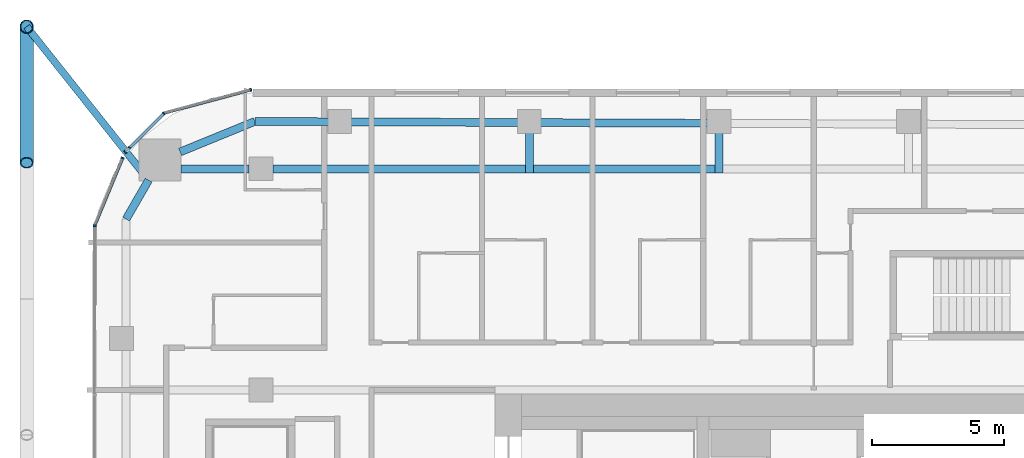
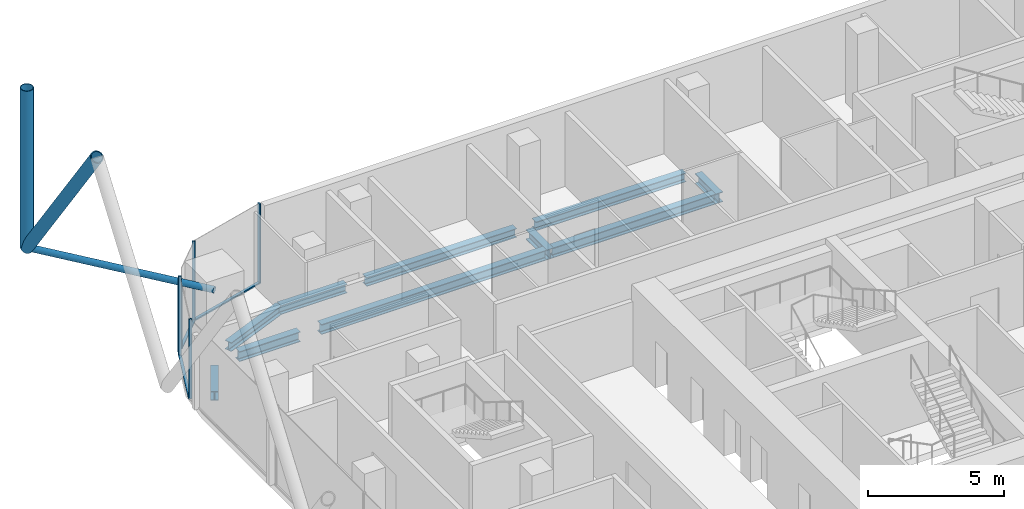
# One storey, part 11 of 33: 12 members, 10 beams, 5 elements without a shape of their own.
"""IFC4 building model written with IfcOpenShell, lengths in metres."""

from ifc_helpers import new_model, si_unit, direction, frame, origin, origin_2d, place, context, subcontext, project, spatial, rectangle, hollow_circle, i_section, extrude, material, layer, layer_set, material_profile, profile_set, type_object, element, aggregate, save


model = new_model("IFC4")

# Units and contexts
model_context = context("Model", 3, precision=1e-05, world=origin(), true_north=direction((0.0, 1.0)))
body_context = subcontext(model_context, "Body", "Model", "MODEL_VIEW")
ifc_project = project(units=[si_unit("LENGTHUNIT", "METRE"), si_unit("AREAUNIT", "SQUARE_METRE"), si_unit("VOLUMEUNIT", "CUBIC_METRE"), si_unit("PLANEANGLEUNIT", "RADIAN"), si_unit("MASSUNIT", "GRAM", prefix="KILO")], contexts=[model_context])

# Site, building, storey
site_placement = place(None, origin())
site = spatial("IfcSite", under=ifc_project, at=site_placement, CompositionType="ELEMENT")
building_placement = place(site_placement, origin())
building = spatial("IfcBuilding", under=site, at=building_placement, Name="Marenta Gate Hotel Tower", CompositionType="ELEMENT")
storey_placement = place(building_placement, frame((0.0, 0.0, 122.89990234375)))
storey = spatial("IfcBuildingStorey", under=building, at=storey_placement, Name="L27", CompositionType="ELEMENT", Elevation=122.89990234375)

# Members
ifc_material_1 = material(Name="Steel S355J2W", Category="steel")
ifc_material_profile_1 = material_profile(ifc_material_1, hollow_circle(Radius=0.25390625, WallThickness=0.02490234375, at=origin_2d()), Name="CHS 508x25")
ifc_profile_set_1 = profile_set([ifc_material_profile_1], Name="Steel S355J2W")
member_type_1 = type_object("IfcMemberType", Name="Diagrid corner post Z2 CHS 508x25", PredefinedType="POST", material=ifc_profile_set_1)
member_1_placement = place(storey_placement, frame((-29.89990234375, 30.60009765625, 3.14013671875), z_axis=(0.0, 0.0, 1.0), x_axis=(1.0, 0.0, 0.0)))
element("IfcMember", 1, at=member_1_placement, inside=storey, type_object=member_type_1, Name="L27-DR-6", PredefinedType="POST", context=body_context, shape_type="SweptSolid", body=[
    extrude(hollow_circle(Radius=0.25390625, WallThickness=0.02490234375, at=origin_2d()), origin(), (0.0, 0.0, 1.0), 7.199951171875),
])
ifc_material_2 = material(Name="Steel S355J2W", Category="steel")
ifc_material_profile_2 = material_profile(ifc_material_2, hollow_circle(Radius=0.25390625, WallThickness=0.0400390625, at=origin_2d()), Name="CHS 508x40")
ifc_profile_set_2 = profile_set([ifc_material_profile_2], Name="Steel S355J2W")
member_type_2 = type_object("IfcMemberType", Name="Diagrid diagonal Z2 CHS 508x40", PredefinedType="BRACE", material=ifc_profile_set_2)
member_2_placement = place(storey_placement, frame((-29.89990234375, 30.60009765625, 3.14013671875), z_axis=(0.0, -0.583279014058, 0.812271870595), x_axis=(1.0, 0.0, 0.0)))
element("IfcMember", 2, at=member_2_placement, inside=storey, type_object=member_type_2, Name="L27-DG-34", PredefinedType="BRACE", context=body_context, shape_type="SweptSolid", body=[
    extrude(hollow_circle(Radius=0.25390625, WallThickness=0.0400390625, at=origin_2d()), origin(), (0.0, 0.0, 1.0), 8.864013671875),
])

# Beams
ifc_material_3 = material(Name="Steel S355", Category="steel")
ifc_material_profile_3 = material_profile(ifc_material_3, i_section(OverallWidth=0.300048828125, OverallDepth=0.39990234375, WebThickness=0.013427734375, FlangeThickness=0.02392578125, FilletRadius=0.027099609375, at=origin_2d()), Name="HEB 400")
ifc_profile_set_3 = profile_set([ifc_material_profile_3], Name="Steel S355")
beam_type_1 = type_object("IfcBeamType", Name="Edge beam HEB 400", PredefinedType="SPANDREL", material=ifc_profile_set_3)
beam_1_placement = place(storey_placement, frame((-26.121337890625, 23.291748046875, -0.4599609375), z_axis=(0.500015459501, 0.866016478054, 0.0), x_axis=(-0.866016478054, 0.500015459501, 0.0)))
element("IfcBeam", 3, at=beam_1_placement, inside=storey, type_object=beam_type_1, Name="L27-EB-11", PredefinedType="SPANDREL", context=body_context, shape_type="SweptSolid", body=[
    extrude(i_section(OverallWidth=0.300048828125, OverallDepth=0.39990234375, WebThickness=0.013427734375, FlangeThickness=0.02392578125, FilletRadius=0.027099609375, at=origin_2d()), origin(), (0.0, 0.0, 1.0), 1.70703125),
])
beam_2_placement = place(storey_placement, frame((-24.072509765625, 25.839111328125, -0.4599609375), z_axis=(0.925565978946, 0.378586342356, 0.0), x_axis=(-0.378586342356, 0.925565978946, 0.0)))
element("IfcBeam", 4, at=beam_2_placement, inside=storey, type_object=beam_type_1, Name="L27-EB-12", PredefinedType="SPANDREL", context=body_context, shape_type="SweptSolid", body=[
    extrude(i_section(OverallWidth=0.300048828125, OverallDepth=0.39990234375, WebThickness=0.013427734375, FlangeThickness=0.02392578125, FilletRadius=0.027099609375, at=origin_2d()), origin(), (0.0, 0.0, 1.0), 3.06640625),
])
beam_3_placement = place(storey_placement, frame((-21.234375, 27.0, -0.4599609375), z_axis=(0.999991706293, -0.004072756516, 0.0), x_axis=(0.004072756516, 0.999991706293, 0.0)))
element("IfcBeam", 5, at=beam_3_placement, inside=storey, type_object=beam_type_1, Name="L27-EB-13", PredefinedType="SPANDREL", context=body_context, shape_type="SweptSolid", body=[
    extrude(i_section(OverallWidth=0.300048828125, OverallDepth=0.39990234375, WebThickness=0.013427734375, FlangeThickness=0.02392578125, FilletRadius=0.027099609375, at=origin_2d()), origin(), (0.0, 0.0, 1.0), 2.8173828125),
])
beam_4_placement = place(storey_placement, frame((-17.596923828125, 26.985107421875, -0.4599609375), z_axis=(0.999991780748, -0.00405443424, 0.0), x_axis=(0.00405443424, 0.999991780748, 0.0)))
element("IfcBeam", 6, at=beam_4_placement, inside=storey, type_object=beam_type_1, Name="L27-EB-14", PredefinedType="SPANDREL", context=body_context, shape_type="SweptSolid", body=[
    extrude(i_section(OverallWidth=0.300048828125, OverallDepth=0.39990234375, WebThickness=0.013427734375, FlangeThickness=0.02392578125, FilletRadius=0.027099609375, at=origin_2d()), origin(), (0.0, 0.0, 1.0), 6.3828125),
])
beam_5_placement = place(storey_placement, frame((-10.39404296875, 26.955810546875, -0.4599609375), z_axis=(0.999991624297, -0.004092839529, 0.0), x_axis=(0.004092839529, 0.999991624297, 0.0)))
element("IfcBeam", 7, at=beam_5_placement, inside=storey, type_object=beam_type_1, Name="L27-EB-15", PredefinedType="SPANDREL", context=body_context, shape_type="SweptSolid", body=[
    extrude(i_section(OverallWidth=0.300048828125, OverallDepth=0.39990234375, WebThickness=0.013427734375, FlangeThickness=0.02392578125, FilletRadius=0.027099609375, at=origin_2d()), origin(), (0.0, 0.0, 1.0), 6.382568359375),
])

# Member
ifc_material_4 = material(Name="Steel S355J2W", Category="steel")
ifc_material_profile_4 = material_profile(ifc_material_4, hollow_circle(Radius=0.136474609375, WallThickness=0.012451171875, at=origin_2d()), Name="CHS 273x12.5")
ifc_profile_set_4 = profile_set([ifc_material_profile_4], Name="Steel S355J2W")
member_type_3 = type_object("IfcMemberType", Name="Floor tie CHS 273x12.5", PredefinedType="STRUT", material=ifc_profile_set_4)
member_3_placement = place(storey_placement, frame((-29.89990234375, 30.60009765625, 3.14013671875), z_axis=(0.622094046149, -0.782942525187, 0.0), x_axis=(0.782942525187, 0.622094046149, 0.0)))
element("IfcMember", 8, at=member_3_placement, inside=storey, type_object=member_type_3, Name="L27-DR-12", PredefinedType="STRUT", context=body_context, shape_type="SweptSolid", body=[
    extrude(hollow_circle(Radius=0.136474609375, WallThickness=0.012451171875, at=origin_2d()), origin(), (0.0, 0.0, 1.0), 7.43896484375),
])

# Beams
ifc_material_5 = material(Name="Steel S355", Category="steel")
ifc_material_profile_5 = material_profile(ifc_material_5, i_section(OverallWidth=0.300048828125, OverallDepth=0.449951171875, WebThickness=0.013916015625, FlangeThickness=0.02587890625, FilletRadius=0.027099609375, at=origin_2d()), Name="HEB 450")
ifc_profile_set_5 = profile_set([ifc_material_profile_5], Name="Steel S355")
beam_type_2 = type_object("IfcBeamType", Name="Girder HEB 450", PredefinedType="BEAM", material=ifc_profile_set_5)
beam_6_placement = place(storey_placement, frame((-24.035400390625, 25.199951171875, -0.48486328125), z_axis=(1.0, 0.0, 0.0), x_axis=(0.0, 1.0, 0.0)))
element("IfcBeam", 9, at=beam_6_placement, inside=storey, type_object=beam_type_2, Name="L27-GD-29", PredefinedType="BEAM", context=body_context, shape_type="SweptSolid", body=[
    extrude(i_section(OverallWidth=0.300048828125, OverallDepth=0.449951171875, WebThickness=0.013916015625, FlangeThickness=0.02587890625, FilletRadius=0.027099609375, at=origin_2d()), origin(), (0.0, 0.0, 1.0), 2.58544921875),
])
beam_7_placement = place(storey_placement, frame((-20.550048828125, 25.199951171875, -0.48486328125), z_axis=(1.0, 0.0, 0.0), x_axis=(0.0, 1.0, 0.0)))
element("IfcBeam", 10, at=beam_7_placement, inside=storey, type_object=beam_type_2, Name="L27-GD-30", PredefinedType="BEAM", context=body_context, shape_type="SweptSolid", body=[
    extrude(i_section(OverallWidth=0.300048828125, OverallDepth=0.449951171875, WebThickness=0.013916015625, FlangeThickness=0.02587890625, FilletRadius=0.027099609375, at=origin_2d()), origin(), (0.0, 0.0, 1.0), 9.595947265625),
])
beam_8_placement = place(storey_placement, frame((-10.654052734375, 25.199951171875, -0.48486328125), z_axis=(1.0, 0.0, 0.0), x_axis=(0.0, 1.0, 0.0)))
element("IfcBeam", 11, at=beam_8_placement, inside=storey, type_object=beam_type_2, Name="L27-GD-31", PredefinedType="BEAM", context=body_context, shape_type="SweptSolid", body=[
    extrude(i_section(OverallWidth=0.300048828125, OverallDepth=0.449951171875, WebThickness=0.013916015625, FlangeThickness=0.02587890625, FilletRadius=0.027099609375, at=origin_2d()), origin(), (0.0, 0.0, 1.0), 6.902587890625),
])
ifc_material_6 = material(Name="Steel S355", Category="steel")
ifc_material_profile_6 = material_profile(ifc_material_6, i_section(OverallWidth=0.300048828125, OverallDepth=0.449951171875, WebThickness=0.013916015625, FlangeThickness=0.02587890625, FilletRadius=0.027099609375, at=origin_2d()), Name="HEB 450")
ifc_profile_set_6 = profile_set([ifc_material_profile_6], Name="Steel S355")
beam_type_3 = type_object("IfcBeamType", Name="Girder bracket HEB 450", PredefinedType="BEAM", material=ifc_profile_set_6)
for number, where, z_axis, x_axis, name in (
    (12, (-10.80419921875, 25.050048828125, -0.48486328125), (0.0, 1.0, 0.0), (-1.0, 0.0, 0.0), "L27-GS-1"),
    (13, (-3.601318359375, 25.050048828125, -0.48486328125), (0.0, 1.0, 0.0), (-1.0, 0.0, 0.0), "L27-GS-2"),
):
    element("IfcBeam", number, at=place(storey_placement, frame(where, z_axis=z_axis, x_axis=x_axis)), inside=storey, type_object=beam_type_3, Name=name, PredefinedType="BEAM", context=body_context, shape_type="SweptSolid", body=[
        extrude(i_section(OverallWidth=0.300048828125, OverallDepth=0.449951171875, WebThickness=0.013916015625, FlangeThickness=0.02587890625, FilletRadius=0.027099609375, at=origin_2d()), origin(), (0.0, 0.0, 1.0), 1.5400390625),
    ])

# Curtain wall, member
ifc_material_7 = material(Name="Tinted insulated glass in bronze anodised frame", Category="glass")
ifc_layer = layer(ifc_material_7, 0.1201171875)
ifc_layer_set = layer_set([ifc_layer], Name="Tinted insulated glass in bronze anodised frame")
curtain_wall_type = type_object("IfcCurtainWallType", Name="Tower unitised curtain wall CW1", PredefinedType="NOTDEFINED", material=ifc_layer_set)
curtain_wall_1_placement = place(storey_placement, origin())
curtain_wall_1 = element("IfcCurtainWall", 14, at=curtain_wall_1_placement, inside=storey, type_object=curtain_wall_type, Name="CW1 run G00", PredefinedType="NOTDEFINED")
ifc_material_8 = material(Name="Bronze anodised aluminium", Category="aluminium")
ifc_material_profile_7 = material_profile(ifc_material_8, rectangle(XDim=0.1201171875, YDim=0.06005859375, at=origin_2d()), Name="Mullion CW1 60x120 bronze anodised aluminium")
ifc_profile_set_7 = profile_set([ifc_material_profile_7], Name="Bronze anodised aluminium")
member_type_4 = type_object("IfcMemberType", Name="Mullion CW1 60x120 bronze anodised aluminium", PredefinedType="MULLION", material=ifc_profile_set_7)
member_4_placement = place(storey_placement, frame((-21.385498046875, 28.203125, 0.0), z_axis=(0.0, 0.0, 1.0), x_axis=(0.258801234873, -0.96593059835, 0.0)))
member_4 = element("IfcMember", 15, at=member_4_placement, type_object=member_type_4, Name="CW1 mullion 1", PredefinedType="MULLION", context=body_context, shape_type="SweptSolid", body=[
    extrude(rectangle(XDim=0.1201171875, YDim=0.06005859375, at=origin_2d()), origin(), (0.0, 0.0, 1.0), 3.60009765625),
])

curtain_wall_2_placement = place(storey_placement, origin())
curtain_wall_2 = element("IfcCurtainWall", 16, at=curtain_wall_2_placement, inside=storey, type_object=curtain_wall_type, Name="CW1 run G01", PredefinedType="NOTDEFINED")
member_5_placement = place(storey_placement, frame((-24.68798828125, 27.302978515625, 0.0), z_axis=(0.0, 0.0, 1.0), x_axis=(0.707106781187, -0.707106781187, 0.0)))
member_5 = element("IfcMember", 17, at=member_5_placement, type_object=member_type_4, Name="CW1 mullion 1", PredefinedType="MULLION", context=body_context, shape_type="SweptSolid", body=[
    extrude(rectangle(XDim=0.1201171875, YDim=0.06005859375, at=origin_2d()), origin(), (0.0, 0.0, 1.0), 3.60009765625),
])

# Curtain wall, members
curtain_wall_3_placement = place(storey_placement, origin())
curtain_wall_3 = element("IfcCurtainWall", 18, at=curtain_wall_3_placement, inside=storey, type_object=curtain_wall_type, Name="CW1 run G02", PredefinedType="NOTDEFINED")
member_6_placement = place(storey_placement, frame((-25.992431640625, 25.998291015625, 0.0), z_axis=(0.0, 0.0, 1.0), x_axis=(0.707106781187, -0.707106781187, 0.0)))
member_6 = element("IfcMember", 19, at=member_6_placement, type_object=member_type_4, Name="CW1 mullion 1", PredefinedType="MULLION", context=body_context, shape_type="SweptSolid", body=[
    extrude(rectangle(XDim=0.1201171875, YDim=0.06005859375, at=origin_2d()), origin(), (0.0, 0.0, 1.0), 3.00048828125),
])
member_7_placement = place(storey_placement, frame((-26.151123046875, 25.839599609375, 0.0), z_axis=(0.0, 0.0, 1.0), x_axis=(0.707106781187, -0.707106781187, 0.0)))
member_7 = element("IfcMember", 20, at=member_7_placement, type_object=member_type_4, Name="CW1 mullion 2", PredefinedType="MULLION", context=body_context, shape_type="SweptSolid", body=[
    extrude(rectangle(XDim=0.1201171875, YDim=0.06005859375, at=origin_2d()), origin(), (0.0, 0.0, 1.0), 3.00048828125),
])
aggregate(curtain_wall_3, [member_6, member_7])

# Curtain wall, member
curtain_wall_4_placement = place(storey_placement, origin())
curtain_wall_4 = element("IfcCurtainWall", 21, at=curtain_wall_4_placement, inside=storey, type_object=curtain_wall_type, Name="CW1 run G03", PredefinedType="NOTDEFINED")
member_8_placement = place(storey_placement, frame((-26.25830078125, 25.610595703125, 0.0), z_axis=(0.0, 0.0, 1.0), x_axis=(0.923879367898, -0.382683829775, 0.0)))
member_8 = element("IfcMember", 22, at=member_8_placement, type_object=member_type_4, Name="CW1 mullion 1", PredefinedType="MULLION", context=body_context, shape_type="SweptSolid", body=[
    extrude(rectangle(XDim=0.1201171875, YDim=0.06005859375, at=origin_2d()), origin(), (0.0, 0.0, 1.0), 3.60009765625),
])

curtain_wall_5_placement = place(storey_placement, origin())
curtain_wall_5 = element("IfcCurtainWall", 23, at=curtain_wall_5_placement, inside=storey, type_object=curtain_wall_type, Name="CW1 run G04", PredefinedType="NOTDEFINED")
member_9_placement = place(storey_placement, frame((-27.312255859375, 23.0361328125, 0.0), z_axis=(0.0, 0.0, 1.0), x_axis=(0.99999877375, -0.001566045546, 0.0)))
member_9 = element("IfcMember", 24, at=member_9_placement, type_object=member_type_4, Name="CW1 mullion 1", PredefinedType="MULLION", context=body_context, shape_type="SweptSolid", body=[
    extrude(rectangle(XDim=0.1201171875, YDim=0.06005859375, at=origin_2d()), origin(), (0.0, 0.0, 1.0), 3.60009765625),
])
aggregate(curtain_wall_5, [member_9])

# Member
ifc_material_9 = material(Name="Bronze anodised aluminium", Category="aluminium")
ifc_material_profile_8 = material_profile(ifc_material_9, rectangle(XDim=0.1201171875, YDim=0.06005859375, at=origin_2d()), Name="Transom CW1 60x120 bronze anodised aluminium")
ifc_profile_set_8 = profile_set([ifc_material_profile_8], Name="Bronze anodised aluminium")
member_type_5 = type_object("IfcMemberType", Name="Transom CW1 60x120 bronze anodised aluminium", PredefinedType="USERDEFINED", material=ifc_profile_set_8)
member_10_placement = place(storey_placement, frame((-21.41455078125, 28.195556640625, 0.030029296875), z_axis=(-0.965932192411, -0.258795285243, 0.0), x_axis=(0.258795285243, -0.965932192411, 0.0)))
member_10 = element("IfcMember", 25, at=member_10_placement, type_object=member_type_5, Name="CW1 transom 1.1", ObjectType="TRANSOM", PredefinedType="USERDEFINED", context=body_context, shape_type="SweptSolid", body=[
    extrude(rectangle(XDim=0.1201171875, YDim=0.06005859375, at=origin_2d()), origin(), (0.0, 0.0, 1.0), 3.366943359375),
])

aggregate(curtain_wall_1, [member_4, member_10])

member_11_placement = place(storey_placement, frame((-24.709228515625, 27.28173828125, 0.030029296875), z_axis=(-0.707038385696, -0.707175170062, 0.0), x_axis=(0.707175170062, -0.707038385696, 0.0)))
member_11 = element("IfcMember", 26, at=member_11_placement, type_object=member_type_5, Name="CW1 transom 1.1", ObjectType="TRANSOM", PredefinedType="USERDEFINED", context=body_context, shape_type="SweptSolid", body=[
    extrude(rectangle(XDim=0.1201171875, YDim=0.06005859375, at=origin_2d()), origin(), (0.0, 0.0, 1.0), 1.784912109375),
])

aggregate(curtain_wall_2, [member_5, member_11])

member_12_placement = place(storey_placement, frame((-26.269775390625, 25.582763671875, 0.030029296875), z_axis=(-0.382705357384, -0.923870450566, 0.0), x_axis=(0.923870450566, -0.382705357384, 0.0)))
member_12 = element("IfcMember", 27, at=member_12_placement, type_object=member_type_5, Name="CW1 transom 1.1", ObjectType="TRANSOM", PredefinedType="USERDEFINED", context=body_context, shape_type="SweptSolid", body=[
    extrude(rectangle(XDim=0.1201171875, YDim=0.06005859375, at=origin_2d()), origin(), (0.0, 0.0, 1.0), 2.723876953125),
])

aggregate(curtain_wall_4, [member_8, member_12])

save(model, "model.ifc")
